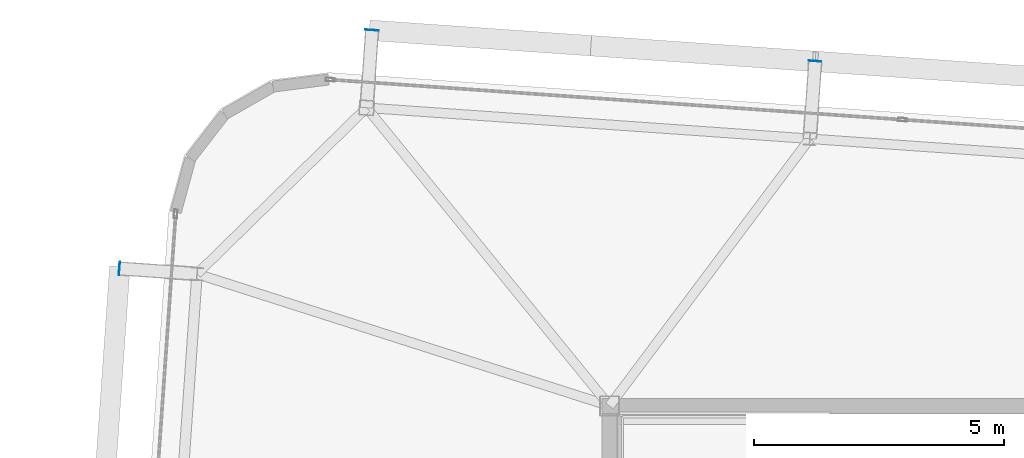
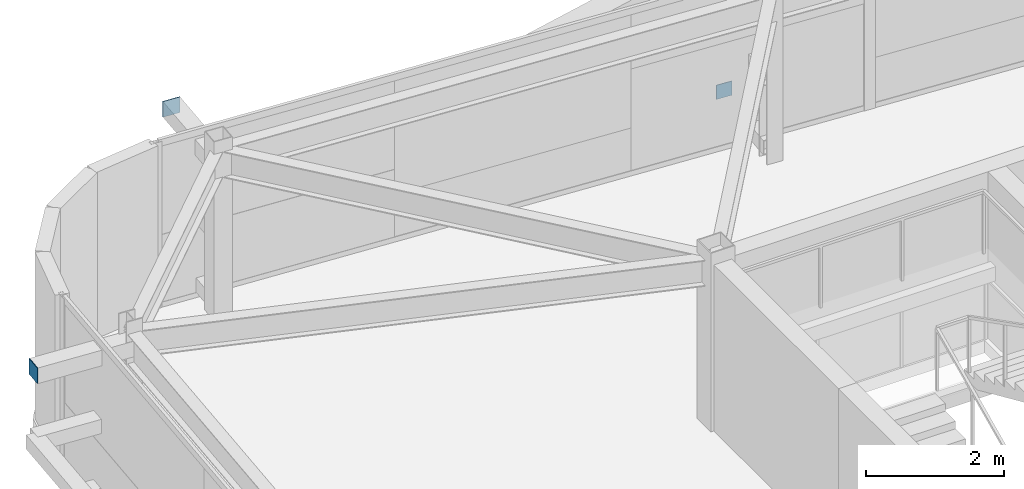
# One storey, part 32 of 39: 3 plates.
"""IFC4 building model written with IfcOpenShell, lengths in metres."""

import ifcopenshell
import ifcopenshell.guid

model = None  # the IFC model being written
_history = None  # IfcOwnerHistory: only IFC2X3 demands one
_inside = {}  # id of a spatial element -> (the spatial element, [elements in it])
_under = {}  # id of a project, library or spatial element -> (it, [spatial elements below it])
_declared = {}  # id of a project -> (the project, [libraries it declares])
_typed = {}  # id of a type object -> (the type object, [elements of that type])
_made_of = {}  # id of a material, layer set ... -> (it, [elements and type objects made of it])


def new_model(schema):
    """Start an empty IFC model of exactly this schema.

    Asked for "IFC4X3", IfcOpenShell would pick the latest addendum, in which some entities
    have other attributes; the version numbers below select the first issue.
    IFC2X3 requires an IfcOwnerHistory on every rooted entity: one is made here for all.
    """
    global model, _history
    if schema == "IFC4X3":
        model = ifcopenshell.file(schema_version=(4, 3, 0, 0))
    else:
        model = ifcopenshell.file(schema=schema)
    _inside.clear()
    _under.clear()
    _declared.clear()
    _typed.clear()
    _made_of.clear()
    _history = None
    if model.schema == "IFC2X3":
        org = make("IfcOrganization", Name="unknown")
        user = make(
            "IfcPersonAndOrganization",
            ThePerson=make("IfcPerson", FamilyName="unknown"),
            TheOrganization=org,
        )
        app = make(
            "IfcApplication",
            ApplicationDeveloper=org,
            Version="unknown",
            ApplicationFullName="unknown",
            ApplicationIdentifier="unknown",
        )
        _history = make(
            "IfcOwnerHistory",
            OwningUser=user,
            OwningApplication=app,
            ChangeAction="ADDED",
            CreationDate=0,
        )
    return model


def make(cls, **values):
    """One entity of the class cls with the attributes given. An attribute that is None is left unset."""
    return model.create_entity(
        cls, **{name: value for name, value in values.items() if value is not None}
    )


def rooted(cls, **values):
    """An entity with a GlobalId (a new one), such as an element, a storey or a relation."""
    return make(cls, GlobalId=ifcopenshell.guid.new(), OwnerHistory=_history, **values)


def si_unit(unit_type, name, prefix=None):
    """IfcSIUnit, for example si_unit("LENGTHUNIT", "METRE", prefix="MILLI")."""
    return make("IfcSIUnit", UnitType=unit_type, Prefix=prefix, Name=name)


def assignment(units):
    """IfcUnitAssignment: the units of a project."""
    return None if units is None else make("IfcUnitAssignment", Units=units)


def point(xyz):
    """IfcCartesianPoint."""
    return None if xyz is None else make("IfcCartesianPoint", Coordinates=xyz)


def direction(xyz):
    """IfcDirection."""
    return None if xyz is None else make("IfcDirection", DirectionRatios=xyz)


def frame(location, z_axis=None, x_axis=None):
    """IfcAxis2Placement3D, a coordinate frame: its origin and axes. An axis left out is left unset."""
    return make(
        "IfcAxis2Placement3D",
        Location=point(location),
        Axis=direction(z_axis),
        RefDirection=direction(x_axis),
    )


def frame_2d(location, x_axis=None):
    """IfcAxis2Placement2D, a coordinate frame in the plane: its origin and x axis."""
    return make(
        "IfcAxis2Placement2D", Location=point(location), RefDirection=direction(x_axis)
    )


def origin():
    """The frame at (0, 0, 0) with its axes left unset."""
    return frame((0.0, 0.0, 0.0))


def origin_2d():
    """The frame at (0, 0) in the plane with its x axis left unset."""
    return frame_2d((0.0, 0.0))


def place(relative_to, where):
    """IfcLocalPlacement: puts the frame where relative to a parent placement (None: the world)."""
    return make(
        "IfcLocalPlacement", PlacementRelTo=relative_to, RelativePlacement=where
    )


def context(
    kind, dimensions, precision=None, world=None, true_north=None, identifier=None
):
    """IfcGeometricRepresentationContext, for example the 3D "Model" context."""
    return make(
        "IfcGeometricRepresentationContext",
        ContextIdentifier=identifier,
        ContextType=kind,
        CoordinateSpaceDimension=dimensions,
        Precision=precision,
        WorldCoordinateSystem=world,
        TrueNorth=true_north,
    )


def subcontext(parent, identifier, kind, view, scale=None):
    """IfcGeometricRepresentationSubContext, for example "Body" below "Model"."""
    return make(
        "IfcGeometricRepresentationSubContext",
        ContextIdentifier=identifier,
        ContextType=kind,
        ParentContext=parent,
        TargetScale=scale,
        TargetView=view,
    )


def project(units=None, contexts=None):
    """IfcProject with its units and contexts."""
    return rooted(
        "IfcProject",
        Name="project",
        RepresentationContexts=contexts,
        UnitsInContext=assignment(units),
    )


def spatial(cls, under=None, at=None, **own):
    """A site, building, storey or space (cls), placed at a placement, below another one or the project."""
    s = rooted(cls, ObjectPlacement=at, **own)
    if under is not None:
        _under.setdefault(under.id(), (under, []))[1].append(s)
    return s


def profile(cls, at=None, kind="AREA", **sizes):
    """A parametric profile (cls). Its sizes go by their IFC names, for example OverallWidth=200.0."""
    return make(cls, ProfileType=kind, Position=at, **sizes)


def rectangle(**sizes):
    """IfcRectangleProfileDef."""
    return profile("IfcRectangleProfileDef", **sizes)


def extrude(swept, where, along, depth):
    """IfcExtrudedAreaSolid: the profile swept, set in the frame where, extruded along a direction by depth."""
    return make(
        "IfcExtrudedAreaSolid",
        SweptArea=swept,
        Position=where,
        ExtrudedDirection=direction(along),
        Depth=depth,
    )


def shape(context_of_items, identifier, shape_type, items):
    """IfcShapeRepresentation: the items that make up one representation, for example the "Body"."""
    return make(
        "IfcShapeRepresentation",
        ContextOfItems=context_of_items,
        RepresentationIdentifier=identifier,
        RepresentationType=shape_type,
        Items=items,
    )


def source(mapping_origin, context_of_items, identifier, shape_type, items):
    """IfcRepresentationMap: a shape defined once, which mapped items show again and again."""
    return make(
        "IfcRepresentationMap",
        MappingOrigin=mapping_origin,
        MappedRepresentation=shape(context_of_items, identifier, shape_type, items),
    )


def transform(
    local_origin,
    x_axis=None,
    y_axis=None,
    z_axis=None,
    scale=None,
    scale2=None,
    scale3=None,
    uniform=True,
):
    """IfcCartesianTransformationOperator3D, or its non-uniform kind. x_axis, y_axis, z_axis: its Axis1, 2, 3."""
    if uniform:
        return make(
            "IfcCartesianTransformationOperator3D",
            Axis1=direction(x_axis),
            Axis2=direction(y_axis),
            LocalOrigin=point(local_origin),
            Scale=scale,
            Axis3=direction(z_axis),
        )
    return make(
        "IfcCartesianTransformationOperator3DnonUniform",
        Axis1=direction(x_axis),
        Axis2=direction(y_axis),
        LocalOrigin=point(local_origin),
        Scale=scale,
        Axis3=direction(z_axis),
        Scale2=scale2,
        Scale3=scale3,
    )


def mapped(mapping_source, mapping_target):
    """IfcMappedItem: shows the shape of a source again, moved by a transform."""
    return make(
        "IfcMappedItem", MappingSource=mapping_source, MappingTarget=mapping_target
    )


def material(Name=None, Category=None):
    """IfcMaterial."""
    return make("IfcMaterial", Name=Name, Category=Category)


def layer(
    of_material, thickness, ventilated=None, Name=None, Category=None, Priority=None
):
    """IfcMaterialLayer: one layer of a wall or slab, of a material (None: an air gap)."""
    return make(
        "IfcMaterialLayer",
        Material=of_material,
        LayerThickness=thickness,
        IsVentilated=ventilated,
        Name=Name,
        Category=Category,
        Priority=Priority,
    )


def layer_set(layers, Name=None):
    """IfcMaterialLayerSet."""
    return make("IfcMaterialLayerSet", MaterialLayers=layers, LayerSetName=Name)


def made_of(thing, what):
    """Note that an element or type object is made of a material, layer set ...; save() writes the relation."""
    if what is not None:
        _made_of.setdefault(what.id(), (what, []))[1].append(thing)
    return thing


def type_object(cls, material=None, **own):
    """A type object (cls), such as IfcWallType, which elements share."""
    return made_of(rooted(cls, **own), material)


def element(
    cls,
    number,
    at=None,
    inside=None,
    cuts=None,
    type_object=None,
    material=None,
    context=None,
    identifier="Body",
    shape_type=None,
    held_by="IfcProductDefinitionShape",
    body=None,
    shapes=None,
    **own,
):
    """One element of the class cls, such as IfcWall. Its Tag is "e" and its number.

    at: its placement. inside: the storey or other place that contains it. cuts: it is an
    opening in that element (IfcRelVoidsElement). A single representation is given by context,
    identifier, shape_type and body (its items); several are given by shapes. held_by: the class
    of the entity that holds the representations. save() writes the other relations.
    """
    e = rooted(cls, Tag="e%d" % number, ObjectPlacement=at, **own)
    if body is not None:
        shapes = [shape(context, identifier, shape_type, body)]
    if shapes is not None:
        e.Representation = make(held_by, Representations=shapes)
    if inside is not None:
        _inside.setdefault(inside.id(), (inside, []))[1].append(e)
    if cuts is not None:
        rooted(
            "IfcRelVoidsElement", RelatingBuildingElement=cuts, RelatedOpeningElement=e
        )
    if type_object is not None:
        _typed.setdefault(type_object.id(), (type_object, []))[1].append(e)
    return made_of(e, material)


def aggregate(whole, parts):
    """IfcRelAggregates: a whole, such as a stair, and the parts it consists of."""
    return rooted("IfcRelAggregates", RelatingObject=whole, RelatedObjects=parts)


def save(model, path):
    """Write the relations noted so far, then the file.

    IfcRelAggregates (storeys below a building ...), IfcRelContainedInSpatialStructure (elements
    in a storey), IfcRelDefinesByType, IfcRelAssociatesMaterial and IfcRelDeclares: one each for
    every whole, place, type object, material and project.
    """
    for whole, parts in _under.values():
        aggregate(whole, parts)
    for where, things in _inside.values():
        rooted(
            "IfcRelContainedInSpatialStructure",
            RelatedElements=things,
            RelatingStructure=where,
        )
    for kind, things in _typed.values():
        rooted("IfcRelDefinesByType", RelatedObjects=things, RelatingType=kind)
    for what, things in _made_of.values():
        rooted("IfcRelAssociatesMaterial", RelatedObjects=things, RelatingMaterial=what)
    for by, libraries in _declared.values():
        rooted("IfcRelDeclares", RelatingContext=by, RelatedDefinitions=libraries)
    model.write(path)


model = new_model("IFC4")

# Units and contexts
model_context = context("Model", 3, precision=1e-05, world=origin(), true_north=direction((0.0, 1.0)))
body_context = subcontext(model_context, "Body", "Model", "MODEL_VIEW")
ifc_project = project(units=[si_unit("LENGTHUNIT", "METRE"), si_unit("AREAUNIT", "SQUARE_METRE"), si_unit("VOLUMEUNIT", "CUBIC_METRE"), si_unit("PLANEANGLEUNIT", "RADIAN"), si_unit("MASSUNIT", "GRAM", prefix="KILO")], contexts=[model_context])

# Site, building, storey
site_placement = place(None, origin())
site = spatial("IfcSite", under=ifc_project, at=site_placement, CompositionType="ELEMENT")
building_placement = place(site_placement, origin())
building = spatial("IfcBuilding", under=site, at=building_placement, Name="Taldren Reach Tower", CompositionType="ELEMENT")
storey_placement = place(building_placement, frame((0.0, 0.0, 158.199951171875)))
storey = spatial("IfcBuildingStorey", under=building, at=storey_placement, Name="L48", CompositionType="ELEMENT", Elevation=158.199951171875)

# Plates
ifc_material_1 = material(Name="Steel Gr 450 (C450L0)", Category="steel")
ifc_layer_1 = layer(ifc_material_1, 0.011962890625)
ifc_layer_set_1 = layer_set([ifc_layer_1], Name="Steel Gr 450 (C450L0)")
plate_type_1 = type_object("IfcPlateType", Name="PL-CAP-275", PredefinedType="SHEET", material=ifc_layer_set_1)
shared_shape_1 = source(origin(), body_context, "Body", "SweptSolid", [
    extrude(rectangle(XDim=0.27490234375, YDim=0.011962890625, at=origin_2d()), origin(), (0.0, 0.0, 1.0), 0.27490234375),
])
plate_1_placement = place(storey_placement, frame((14.253173828125, 39.510986328125, 2.5126953125), z_axis=(0.0, 0.0, 1.0), x_axis=(0.99756405026, -0.069756473744, 0.0)))
element("IfcPlate", 1, at=plate_1_placement, inside=storey, type_object=plate_type_1, Name="Tie strut end cap plate B3-N1 L48", PredefinedType="SHEET", context=body_context, shape_type="MappedRepresentation", body=[
    mapped(shared_shape_1, transform((0.0, 0.0, 0.0), scale=1.0)),
])
shared_shape_2 = source(origin(), body_context, "Body", "SweptSolid", [
    extrude(rectangle(XDim=0.011962890625, YDim=0.27490234375, at=origin_2d()), origin(), (0.0, 0.0, 1.0), 0.27490234375),
])
plate_2_placement = place(storey_placement, frame((9.202392578125, 34.74560546875, 2.5126953125), z_axis=(0.0, 0.0, 1.0), x_axis=(0.99756405026, -0.069756473744, 0.0)))
element("IfcPlate", 2, at=plate_2_placement, inside=storey, type_object=plate_type_1, Name="Tie strut end cap plate B3-W3 L48", PredefinedType="SHEET", context=body_context, shape_type="MappedRepresentation", body=[
    mapped(shared_shape_2, transform((0.0, 0.0, 0.0), scale=1.0)),
])
ifc_material_2 = material(Name="Steel Gr 350 (C350L0)", Category="steel")
ifc_layer_2 = layer(ifc_material_2, 0.011962890625)
ifc_layer_set_2 = layer_set([ifc_layer_2], Name="Steel Gr 350 (C350L0)")
plate_type_2 = type_object("IfcPlateType", Name="PL-CAP-250", PredefinedType="SHEET", material=ifc_layer_set_2)
shared_shape_3 = source(origin(), body_context, "Body", "SweptSolid", [
    extrude(rectangle(XDim=0.25, YDim=0.011962890625, at=origin_2d()), origin(), (0.0, 0.0, 1.0), 0.25),
])
plate_3_placement = place(storey_placement, frame((23.111572265625, 38.8916015625, 0.094970703125), z_axis=(0.0, 0.0, 1.0), x_axis=(0.99756405026, -0.069756473744, 0.0)))
element("IfcPlate", 3, at=plate_3_placement, inside=storey, type_object=plate_type_2, Name="Tie strut end cap plate B3-N2 L48", PredefinedType="SHEET", context=body_context, shape_type="MappedRepresentation", body=[
    mapped(shared_shape_3, transform((0.0, 0.0, 0.0), scale=1.0)),
])

save(model, "model.ifc")
